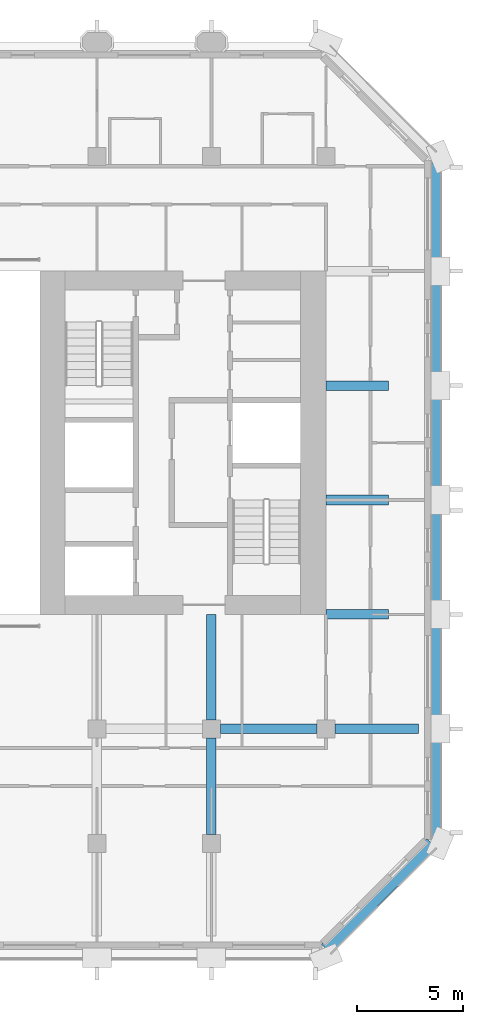
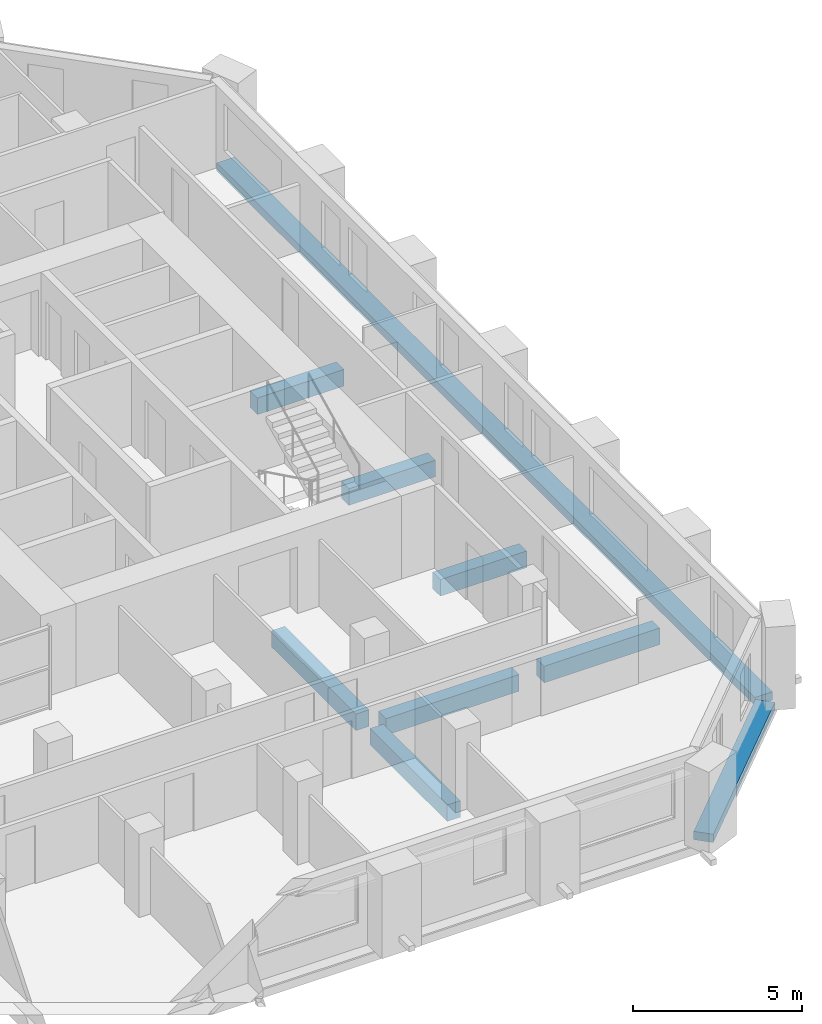
# One storey, part 3 of 13: 9 beams.
"""IFC4 building model written with IfcOpenShell, lengths in metres."""

import ifcopenshell
import ifcopenshell.guid

model = None  # the IFC model being written
_history = None  # IfcOwnerHistory: only IFC2X3 demands one
_inside = {}  # id of a spatial element -> (the spatial element, [elements in it])
_under = {}  # id of a project, library or spatial element -> (it, [spatial elements below it])
_declared = {}  # id of a project -> (the project, [libraries it declares])
_typed = {}  # id of a type object -> (the type object, [elements of that type])
_made_of = {}  # id of a material, layer set ... -> (it, [elements and type objects made of it])


def new_model(schema):
    """Start an empty IFC model of exactly this schema.

    Asked for "IFC4X3", IfcOpenShell would pick the latest addendum, in which some entities
    have other attributes; the version numbers below select the first issue.
    IFC2X3 requires an IfcOwnerHistory on every rooted entity: one is made here for all.
    """
    global model, _history
    if schema == "IFC4X3":
        model = ifcopenshell.file(schema_version=(4, 3, 0, 0))
    else:
        model = ifcopenshell.file(schema=schema)
    _inside.clear()
    _under.clear()
    _declared.clear()
    _typed.clear()
    _made_of.clear()
    _history = None
    if model.schema == "IFC2X3":
        org = make("IfcOrganization", Name="unknown")
        user = make(
            "IfcPersonAndOrganization",
            ThePerson=make("IfcPerson", FamilyName="unknown"),
            TheOrganization=org,
        )
        app = make(
            "IfcApplication",
            ApplicationDeveloper=org,
            Version="unknown",
            ApplicationFullName="unknown",
            ApplicationIdentifier="unknown",
        )
        _history = make(
            "IfcOwnerHistory",
            OwningUser=user,
            OwningApplication=app,
            ChangeAction="ADDED",
            CreationDate=0,
        )
    return model


def make(cls, **values):
    """One entity of the class cls with the attributes given. An attribute that is None is left unset."""
    return model.create_entity(
        cls, **{name: value for name, value in values.items() if value is not None}
    )


def rooted(cls, **values):
    """An entity with a GlobalId (a new one), such as an element, a storey or a relation."""
    return make(cls, GlobalId=ifcopenshell.guid.new(), OwnerHistory=_history, **values)


def si_unit(unit_type, name, prefix=None):
    """IfcSIUnit, for example si_unit("LENGTHUNIT", "METRE", prefix="MILLI")."""
    return make("IfcSIUnit", UnitType=unit_type, Prefix=prefix, Name=name)


def assignment(units):
    """IfcUnitAssignment: the units of a project."""
    return None if units is None else make("IfcUnitAssignment", Units=units)


def point(xyz):
    """IfcCartesianPoint."""
    return None if xyz is None else make("IfcCartesianPoint", Coordinates=xyz)


def direction(xyz):
    """IfcDirection."""
    return None if xyz is None else make("IfcDirection", DirectionRatios=xyz)


def frame(location, z_axis=None, x_axis=None):
    """IfcAxis2Placement3D, a coordinate frame: its origin and axes. An axis left out is left unset."""
    return make(
        "IfcAxis2Placement3D",
        Location=point(location),
        Axis=direction(z_axis),
        RefDirection=direction(x_axis),
    )


def frame_2d(location, x_axis=None):
    """IfcAxis2Placement2D, a coordinate frame in the plane: its origin and x axis."""
    return make(
        "IfcAxis2Placement2D", Location=point(location), RefDirection=direction(x_axis)
    )


def origin():
    """The frame at (0, 0, 0) with its axes left unset."""
    return frame((0.0, 0.0, 0.0))


def origin_2d():
    """The frame at (0, 0) in the plane with its x axis left unset."""
    return frame_2d((0.0, 0.0))


def place(relative_to, where):
    """IfcLocalPlacement: puts the frame where relative to a parent placement (None: the world)."""
    return make(
        "IfcLocalPlacement", PlacementRelTo=relative_to, RelativePlacement=where
    )


def context(
    kind, dimensions, precision=None, world=None, true_north=None, identifier=None
):
    """IfcGeometricRepresentationContext, for example the 3D "Model" context."""
    return make(
        "IfcGeometricRepresentationContext",
        ContextIdentifier=identifier,
        ContextType=kind,
        CoordinateSpaceDimension=dimensions,
        Precision=precision,
        WorldCoordinateSystem=world,
        TrueNorth=true_north,
    )


def subcontext(parent, identifier, kind, view, scale=None):
    """IfcGeometricRepresentationSubContext, for example "Body" below "Model"."""
    return make(
        "IfcGeometricRepresentationSubContext",
        ContextIdentifier=identifier,
        ContextType=kind,
        ParentContext=parent,
        TargetScale=scale,
        TargetView=view,
    )


def project(units=None, contexts=None):
    """IfcProject with its units and contexts."""
    return rooted(
        "IfcProject",
        Name="project",
        RepresentationContexts=contexts,
        UnitsInContext=assignment(units),
    )


def spatial(cls, under=None, at=None, **own):
    """A site, building, storey or space (cls), placed at a placement, below another one or the project."""
    s = rooted(cls, ObjectPlacement=at, **own)
    if under is not None:
        _under.setdefault(under.id(), (under, []))[1].append(s)
    return s


def profile(cls, at=None, kind="AREA", **sizes):
    """A parametric profile (cls). Its sizes go by their IFC names, for example OverallWidth=200.0."""
    return make(cls, ProfileType=kind, Position=at, **sizes)


def rectangle(**sizes):
    """IfcRectangleProfileDef."""
    return profile("IfcRectangleProfileDef", **sizes)


def extrude(swept, where, along, depth):
    """IfcExtrudedAreaSolid: the profile swept, set in the frame where, extruded along a direction by depth."""
    return make(
        "IfcExtrudedAreaSolid",
        SweptArea=swept,
        Position=where,
        ExtrudedDirection=direction(along),
        Depth=depth,
    )


def shape(context_of_items, identifier, shape_type, items):
    """IfcShapeRepresentation: the items that make up one representation, for example the "Body"."""
    return make(
        "IfcShapeRepresentation",
        ContextOfItems=context_of_items,
        RepresentationIdentifier=identifier,
        RepresentationType=shape_type,
        Items=items,
    )


def material(Name=None, Category=None):
    """IfcMaterial."""
    return make("IfcMaterial", Name=Name, Category=Category)


def material_profile(
    of_material, cross_section, Name=None, Category=None, Priority=None
):
    """IfcMaterialProfile: a cross section and its material."""
    return make(
        "IfcMaterialProfile",
        Name=Name,
        Material=of_material,
        Profile=cross_section,
        Priority=Priority,
        Category=Category,
    )


def profile_set(profiles, Name=None, composite=None):
    """IfcMaterialProfileSet."""
    return make(
        "IfcMaterialProfileSet",
        Name=Name,
        MaterialProfiles=profiles,
        CompositeProfile=composite,
    )


def made_of(thing, what):
    """Note that an element or type object is made of a material, layer set ...; save() writes the relation."""
    if what is not None:
        _made_of.setdefault(what.id(), (what, []))[1].append(thing)
    return thing


def type_object(cls, material=None, **own):
    """A type object (cls), such as IfcWallType, which elements share."""
    return made_of(rooted(cls, **own), material)


def element(
    cls,
    number,
    at=None,
    inside=None,
    cuts=None,
    type_object=None,
    material=None,
    context=None,
    identifier="Body",
    shape_type=None,
    held_by="IfcProductDefinitionShape",
    body=None,
    shapes=None,
    **own,
):
    """One element of the class cls, such as IfcWall. Its Tag is "e" and its number.

    at: its placement. inside: the storey or other place that contains it. cuts: it is an
    opening in that element (IfcRelVoidsElement). A single representation is given by context,
    identifier, shape_type and body (its items); several are given by shapes. held_by: the class
    of the entity that holds the representations. save() writes the other relations.
    """
    e = rooted(cls, Tag="e%d" % number, ObjectPlacement=at, **own)
    if body is not None:
        shapes = [shape(context, identifier, shape_type, body)]
    if shapes is not None:
        e.Representation = make(held_by, Representations=shapes)
    if inside is not None:
        _inside.setdefault(inside.id(), (inside, []))[1].append(e)
    if cuts is not None:
        rooted(
            "IfcRelVoidsElement", RelatingBuildingElement=cuts, RelatedOpeningElement=e
        )
    if type_object is not None:
        _typed.setdefault(type_object.id(), (type_object, []))[1].append(e)
    return made_of(e, material)


def aggregate(whole, parts):
    """IfcRelAggregates: a whole, such as a stair, and the parts it consists of."""
    return rooted("IfcRelAggregates", RelatingObject=whole, RelatedObjects=parts)


def save(model, path):
    """Write the relations noted so far, then the file.

    IfcRelAggregates (storeys below a building ...), IfcRelContainedInSpatialStructure (elements
    in a storey), IfcRelDefinesByType, IfcRelAssociatesMaterial and IfcRelDeclares: one each for
    every whole, place, type object, material and project.
    """
    for whole, parts in _under.values():
        aggregate(whole, parts)
    for where, things in _inside.values():
        rooted(
            "IfcRelContainedInSpatialStructure",
            RelatedElements=things,
            RelatingStructure=where,
        )
    for kind, things in _typed.values():
        rooted("IfcRelDefinesByType", RelatedObjects=things, RelatingType=kind)
    for what, things in _made_of.values():
        rooted("IfcRelAssociatesMaterial", RelatedObjects=things, RelatingMaterial=what)
    for by, libraries in _declared.values():
        rooted("IfcRelDeclares", RelatingContext=by, RelatedDefinitions=libraries)
    model.write(path)


model = new_model("IFC4")

# Units and contexts
model_context = context("Model", 3, precision=1e-05, world=origin(), true_north=direction((0.0, 1.0)))
body_context = subcontext(model_context, "Body", "Model", "MODEL_VIEW")
ifc_project = project(units=[si_unit("LENGTHUNIT", "METRE"), si_unit("AREAUNIT", "SQUARE_METRE"), si_unit("VOLUMEUNIT", "CUBIC_METRE"), si_unit("PLANEANGLEUNIT", "RADIAN"), si_unit("MASSUNIT", "GRAM", prefix="KILO")], contexts=[model_context])

# Site, building, storey
site_placement = place(None, origin())
site = spatial("IfcSite", under=ifc_project, at=site_placement, CompositionType="ELEMENT")
building_placement = place(site_placement, origin())
building = spatial("IfcBuilding", under=site, at=building_placement, Name="Tabaq Tower and Sports Hall", CompositionType="ELEMENT")
storey_placement = place(building_placement, frame((0.0, 0.0, 169.300048828125)))
storey = spatial("IfcBuildingStorey", under=building, at=storey_placement, Name="L40", CompositionType="ELEMENT", Elevation=169.300048828125)

# Beams
ifc_material_1 = material(Name="Concrete C40/50", Category="concrete")
ifc_material_profile_1 = material_profile(ifc_material_1, rectangle(XDim=0.449951171875, YDim=0.60009765625, at=origin_2d()), Name="CB 450x600")
ifc_profile_set_1 = profile_set([ifc_material_profile_1], Name="Concrete C40/50")
beam_type_1 = type_object("IfcBeamType", Name="PT CANTILEVER BEAM CB 450x600 C40/50", PredefinedType="BEAM", material=ifc_profile_set_1)
beam_1_placement = place(storey_placement, frame((47.574951171875, 10.800048828125, -0.60009765625), z_axis=(-1.0, 0.0, 0.0), x_axis=(0.0, -1.0, 0.0)))
element("IfcBeam", 1, at=beam_1_placement, inside=storey, type_object=beam_type_1, Name="Cantilever Beam L40 E2 span 1", PredefinedType="BEAM", context=body_context, shape_type="SweptSolid", body=[
    extrude(rectangle(XDim=0.449951171875, YDim=0.60009765625, at=origin_2d()), origin(), (0.0, 0.0, 1.0), 3.949951171875),
])
beam_2_placement = place(storey_placement, frame((42.77490234375, 10.800048828125, -0.60009765625), z_axis=(-1.0, 0.0, 0.0), x_axis=(0.0, -1.0, 0.0)))
element("IfcBeam", 2, at=beam_2_placement, inside=storey, type_object=beam_type_1, Name="Cantilever Beam L40 E2 span 2", PredefinedType="BEAM", context=body_context, shape_type="SweptSolid", body=[
    extrude(rectangle(XDim=0.449951171875, YDim=0.60009765625, at=origin_2d()), origin(), (0.0, 0.0, 1.0), 4.5498046875),
])
for number, where, z_axis, x_axis, name in (
    (3, (46.14990234375, 16.199951171875, -0.60009765625), (-1.0, 0.0, 0.0), (0.0, -1.0, 0.0), "Cantilever Beam L40 E3 span 1"),
    (4, (46.14990234375, 21.60009765625, -0.60009765625), (-1.0, 0.0, 0.0), (0.0, -1.0, 0.0), "Cantilever Beam L40 E4 span 1"),
    (5, (46.14990234375, 27.0, -0.60009765625), (-1.0, 0.0, 0.0), (0.0, -1.0, 0.0), "Cantilever Beam L40 E5 span 1"),
):
    element("IfcBeam", number, at=place(storey_placement, frame(where, z_axis=z_axis, x_axis=x_axis)), inside=storey, type_object=beam_type_1, Name=name, PredefinedType="BEAM", context=body_context, shape_type="SweptSolid", body=[
        extrude(rectangle(XDim=0.449951171875, YDim=0.60009765625, at=origin_2d()), origin(), (0.0, 0.0, 1.0), 2.949951171875),
    ])
beam_3_placement = place(storey_placement, frame((37.800048828125, 5.824951171875, -0.60009765625), z_axis=(0.0, 1.0, 0.0), x_axis=(-1.0, 0.0, 0.0)))
element("IfcBeam", 6, at=beam_3_placement, inside=storey, type_object=beam_type_1, Name="Cantilever Beam L40 S7 span 2", PredefinedType="BEAM", context=body_context, shape_type="SweptSolid", body=[
    extrude(rectangle(XDim=0.449951171875, YDim=0.60009765625, at=origin_2d()), origin(), (0.0, 0.0, 1.0), 4.550048828125),
])
beam_4_placement = place(storey_placement, frame((37.800048828125, 11.22509765625, -0.60009765625), z_axis=(0.0, 1.0, 0.0), x_axis=(-1.0, 0.0, 0.0)))
element("IfcBeam", 7, at=beam_4_placement, inside=storey, type_object=beam_type_1, Name="Cantilever Beam L40 S7 span 3", PredefinedType="BEAM", context=body_context, shape_type="SweptSolid", body=[
    extrude(rectangle(XDim=0.449951171875, YDim=0.60009765625, at=origin_2d()), origin(), (0.0, 0.0, 1.0), 4.974853515625),
])
ifc_material_2 = material(Name="Concrete C40/50", Category="concrete")
ifc_material_profile_2 = material_profile(ifc_material_2, rectangle(XDim=0.60009765625, YDim=0.300048828125, at=origin_2d()), Name="EB 600x300")
ifc_profile_set_2 = profile_set([ifc_material_profile_2], Name="Concrete C40/50")
beam_type_2 = type_object("IfcBeamType", Name="PT EDGE BEAM EB 600x300 C40/50", PredefinedType="SPANDREL", material=ifc_profile_set_2)
beam_5_placement = place(storey_placement, frame((43.198974609375, 0.42333984375, -0.150146484375), z_axis=(0.707106781187, 0.707106781187, 0.0), x_axis=(-0.707106781187, 0.707106781187, 0.0)))
element("IfcBeam", 8, at=beam_5_placement, inside=storey, type_object=beam_type_2, Name="Edge Beam L40 2", PredefinedType="SPANDREL", context=body_context, shape_type="SweptSolid", body=[
    extrude(rectangle(XDim=0.60009765625, YDim=0.300048828125, at=origin_2d()), origin(), (0.0, 0.0, 1.0), 7.03955078125),
])
beam_6_placement = place(storey_placement, frame((48.300048828125, 5.698486328125, -0.150146484375), z_axis=(0.0, 1.0, 0.0), x_axis=(-1.0, 0.0, 0.0)))
element("IfcBeam", 9, at=beam_6_placement, inside=storey, type_object=beam_type_2, Name="Edge Beam L40 3", PredefinedType="SPANDREL", context=body_context, shape_type="SweptSolid", body=[
    extrude(rectangle(XDim=0.60009765625, YDim=0.300048828125, at=origin_2d()), origin(), (0.0, 0.0, 1.0), 31.802978515625),
])

save(model, "model.ifc")
